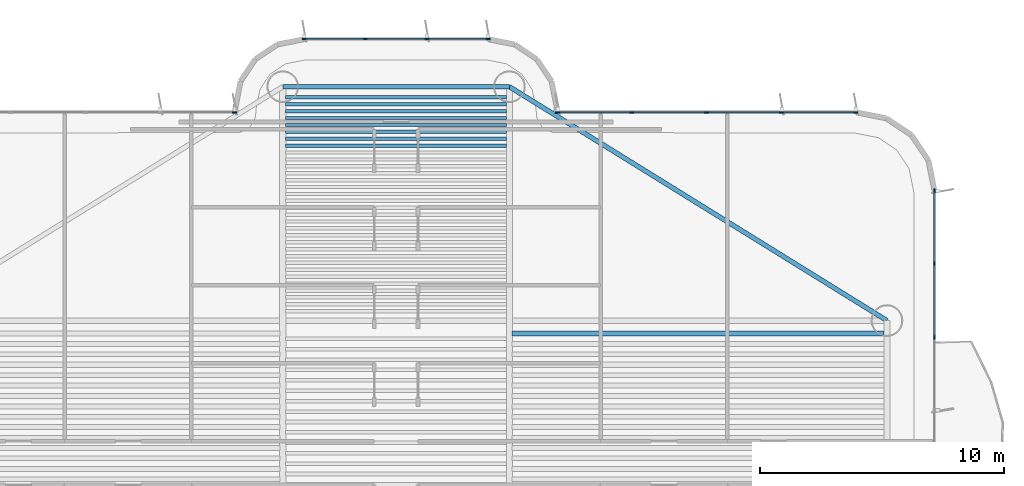
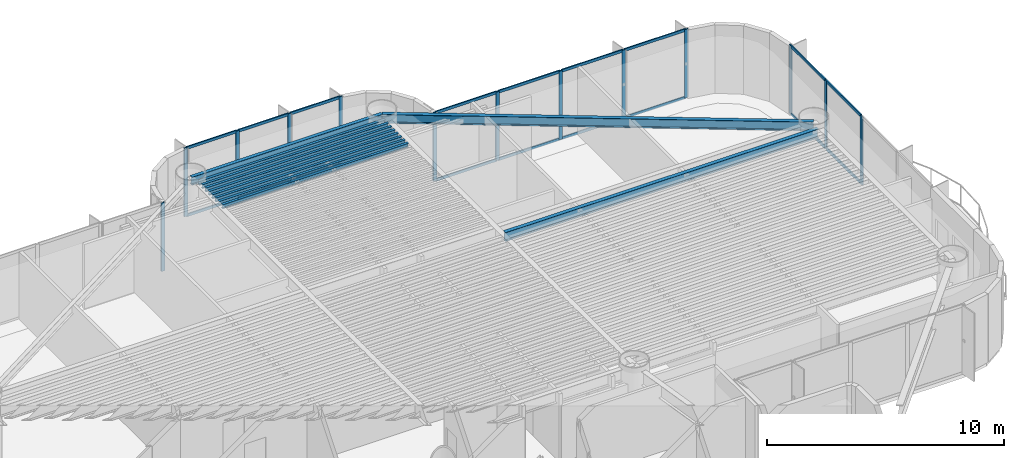
# One storey, part 7 of 16: 31 members, 11 beams, 4 elements without a shape of their own.
"""IFC4 building model written with IfcOpenShell, lengths in metres."""

from ifc_helpers import new_model, si_unit, direction, frame, origin, origin_2d, place, context, subcontext, project, spatial, rectangle, i_section, extrude, source, transform, mapped, material, layer, layer_set, material_profile, profile_set, type_object, element, aggregate, save


model = new_model("IFC4")

# Units and contexts
model_context = context("Model", 3, precision=1e-05, world=origin(), true_north=direction((0.0, 1.0)))
body_context = subcontext(model_context, "Body", "Model", "MODEL_VIEW")
ifc_project = project(units=[si_unit("LENGTHUNIT", "METRE"), si_unit("AREAUNIT", "SQUARE_METRE"), si_unit("VOLUMEUNIT", "CUBIC_METRE"), si_unit("PLANEANGLEUNIT", "RADIAN"), si_unit("MASSUNIT", "GRAM", prefix="KILO")], contexts=[model_context])

# Site, building, storey
site_placement = place(None, origin())
site = spatial("IfcSite", under=ifc_project, at=site_placement, CompositionType="ELEMENT")
building_placement = place(site_placement, origin())
building = spatial("IfcBuilding", under=site, at=building_placement, Name="Brelvock Crest Care Tower", CompositionType="ELEMENT")
storey_placement = place(building_placement, frame((0.0, 0.0, 101.159912109375)))
storey = spatial("IfcBuildingStorey", under=building, at=storey_placement, Name="L25", CompositionType="ELEMENT", Elevation=101.159912109375)

# Beams
ifc_material_1 = material(Name="Steel Grade 350", Category="steel")
ifc_material_profile_1 = material_profile(ifc_material_1, i_section(OverallWidth=0.177978515625, OverallDepth=0.406005859375, WebThickness=0.0078125, FlangeThickness=0.0126953125, FilletRadius=0.011474609375, at=origin_2d()), Name="410UB59.7")
ifc_profile_set_1 = profile_set([ifc_material_profile_1], Name="Steel Grade 350")
beam_type_1 = type_object("IfcBeamType", Name="BM-SP1", PredefinedType="SPANDREL", material=ifc_profile_set_1)
shared_shape_1 = source(origin(), body_context, "Body", "SweptSolid", [
    extrude(i_section(OverallWidth=0.177978515625, OverallDepth=0.406005859375, WebThickness=0.0078125, FlangeThickness=0.0126953125, FilletRadius=0.011474609375, at=origin_2d()), origin(), (0.0, 0.0, 1.0), 9.2998046875),
])
beam_1_placement = place(storey_placement, frame((31.35009765625, 48.449951171875, 3.3271484375), z_axis=(1.0, 0.0, 0.0), x_axis=(0.0, 1.0, 0.0)))
element("IfcBeam", 1, at=beam_1_placement, inside=storey, type_object=beam_type_1, Name="BM-TWR-L25-08", PredefinedType="SPANDREL", context=body_context, shape_type="MappedRepresentation", body=[
    mapped(shared_shape_1, transform((0.0, 0.0, 0.0), x_axis=(1.0, 0.0, 0.0), y_axis=(0.0, 1.0, 0.0), z_axis=(0.0, 0.0, 1.0), scale=1.0)),
])
ifc_material_profile_2 = material_profile(ifc_material_1, i_section(OverallWidth=0.134033203125, OverallDepth=0.20703125, WebThickness=0.00634765625, FlangeThickness=0.009521484375, FilletRadius=0.0087890625, at=origin_2d()), Name="200UB29.8")
ifc_profile_set_2 = profile_set([ifc_material_profile_2], Name="Steel Grade 350")
beam_type_2 = type_object("IfcBeamType", Name="BM-J4", PredefinedType="JOIST", material=ifc_profile_set_2)
shared_shape_2 = source(origin(), body_context, "Body", "SweptSolid", [
    extrude(i_section(OverallWidth=0.134033203125, OverallDepth=0.20703125, WebThickness=0.00634765625, FlangeThickness=0.009521484375, FilletRadius=0.0087890625, at=origin_2d()), origin(), (0.0, 0.0, 1.0), 9.06982421875),
])
for number, where, z_axis, x_axis, name in (
    (2, (31.465087890625, 46.03076171875, 3.426513671875), (1.0, 0.0, 0.0), (0.0, 1.0, 0.0), "BM-JN-L25-25"),
    (3, (31.465087890625, 46.31396484375, 3.426513671875), (1.0, 0.0, 0.0), (0.0, 1.0, 0.0), "BM-JN-L25-26"),
    (4, (31.465087890625, 46.59716796875, 3.426513671875), (1.0, 0.0, 0.0), (0.0, 1.0, 0.0), "BM-JN-L25-27"),
    (5, (31.465087890625, 46.88037109375, 3.426513671875), (1.0, 0.0, 0.0), (0.0, 1.0, 0.0), "BM-JN-L25-28"),
    (6, (31.465087890625, 47.16357421875, 3.426513671875), (1.0, 0.0, 0.0), (0.0, 1.0, 0.0), "BM-JN-L25-29"),
    (7, (31.465087890625, 47.44677734375, 3.426513671875), (1.0, 0.0, 0.0), (0.0, 1.0, 0.0), "BM-JN-L25-30"),
    (8, (31.465087890625, 47.72998046875, 3.426513671875), (1.0, 0.0, 0.0), (0.0, 1.0, 0.0), "BM-JN-L25-31"),
    (9, (31.465087890625, 48.01318359375, 3.426513671875), (1.0, 0.0, 0.0), (0.0, 1.0, 0.0), "BM-JN-L25-32"),
):
    element("IfcBeam", number, at=place(storey_placement, frame(where, z_axis=z_axis, x_axis=x_axis)), inside=storey, type_object=beam_type_2, Name=name, PredefinedType="JOIST", context=body_context, shape_type="MappedRepresentation", body=[
        mapped(shared_shape_2, transform((0.0, 0.0, 0.0), x_axis=(1.0, 0.0, 0.0), y_axis=(0.0, 1.0, 0.0), z_axis=(0.0, 0.0, 1.0), scale=1.0)),
    ])
ifc_material_profile_3 = material_profile(ifc_material_1, i_section(OverallWidth=0.19091796875, OverallDepth=0.4599609375, WebThickness=0.010009765625, FlangeThickness=0.01611328125, FilletRadius=0.011474609375, at=origin_2d()), Name="460UB82.1")
ifc_profile_set_3 = profile_set([ifc_material_profile_3], Name="Steel Grade 350")
beam_type_3 = type_object("IfcBeamType", Name="BM-G3", PredefinedType="BEAM", material=ifc_profile_set_3)
shared_shape_3 = source(origin(), body_context, "Body", "SweptSolid", [
    extrude(i_section(OverallWidth=0.19091796875, OverallDepth=0.4599609375, WebThickness=0.010009765625, FlangeThickness=0.01611328125, FilletRadius=0.011474609375, at=origin_2d()), origin(), (0.0, 0.0, 1.0), 15.27001953125),
])
beam_2_placement = place(storey_placement, frame((40.764892578125, 38.317626953125, 3.300048828125), z_axis=(1.0, 0.0, 0.0), x_axis=(0.0, 1.0, 0.0)))
element("IfcBeam", 10, at=beam_2_placement, inside=storey, type_object=beam_type_3, Name="BM-JE-L25-26", PredefinedType="BEAM", context=body_context, shape_type="MappedRepresentation", body=[
    mapped(shared_shape_3, transform((0.0, 0.0, 0.0), x_axis=(1.0, 0.0, 0.0), y_axis=(0.0, 1.0, 0.0), z_axis=(0.0, 0.0, 1.0), scale=1.0)),
])
ifc_material_profile_4 = material_profile(ifc_material_1, i_section(OverallWidth=0.19091796875, OverallDepth=0.4599609375, WebThickness=0.010009765625, FlangeThickness=0.01611328125, FilletRadius=0.011474609375, at=origin_2d()), Name="460UB82.1")
ifc_profile_set_4 = profile_set([ifc_material_profile_4], Name="Steel Grade 350")
beam_type_4 = type_object("IfcBeamType", Name="BM-SP2", PredefinedType="SPANDREL", material=ifc_profile_set_4)
shared_shape_4 = source(origin(), body_context, "Body", "SweptSolid", [
    extrude(i_section(OverallWidth=0.19091796875, OverallDepth=0.4599609375, WebThickness=0.010009765625, FlangeThickness=0.01611328125, FilletRadius=0.011474609375, at=origin_2d()), origin(), (0.0, 0.0, 1.0), 18.23193359375),
])
beam_3_placement = place(storey_placement, frame((40.64990234375, 48.449951171875, 3.300048828125), z_axis=(0.85015183248, -0.526537616635, 0.0), x_axis=(0.526537616635, 0.85015183248, 0.0)))
element("IfcBeam", 11, at=beam_3_placement, inside=storey, type_object=beam_type_4, Name="BM-TWR-L25-07", PredefinedType="SPANDREL", context=body_context, shape_type="MappedRepresentation", body=[
    mapped(shared_shape_4, transform((0.0, 0.0, 0.0), x_axis=(1.0, 0.0, 0.0), y_axis=(0.0, 1.0, 0.0), z_axis=(0.0, 0.0, 1.0), scale=1.0)),
])

# Curtain wall, member
ifc_material_2 = material(Name="Dark Glass Double Glazed Low-E", Category="glass")
ifc_layer = layer(ifc_material_2, 0.2099609375, Name="CWS-3")
ifc_layer_set = layer_set([ifc_layer], Name="Dark Glass Double Glazed Low-E")
curtain_wall_type = type_object("IfcCurtainWallType", Name="CWS-3", PredefinedType="NOTDEFINED", material=ifc_layer_set)
curtain_wall_1_placement = place(storey_placement, origin())
curtain_wall_1 = element("IfcCurtainWall", 12, at=curtain_wall_1_placement, inside=storey, type_object=curtain_wall_type, Name="L25 Curtain Wall E22", PredefinedType="NOTDEFINED")
ifc_material_3 = material(Name="Aluminium 6063-T6", Category="aluminium")
ifc_material_profile_5 = material_profile(ifc_material_3, rectangle(XDim=0.06005859375, YDim=0.179931640625, at=origin_2d()), Name="ALU60x180")
ifc_profile_set_5 = profile_set([ifc_material_profile_5], Name="Aluminium 6063-T6")
member_type_1 = type_object("IfcMemberType", Name="CWM-2", PredefinedType="MULLION", material=ifc_profile_set_5)
shared_shape_5 = source(origin(), body_context, "Body", "SweptSolid", [
    extrude(rectangle(XDim=0.06005859375, YDim=0.179931640625, at=origin_2d()), origin(), (0.0, 0.0, 1.0), 3.530029296875),
])
member_1_placement = place(storey_placement, frame((29.3701171875, 47.39990234375, 0.0), z_axis=(0.0, 0.0, 1.0), x_axis=(0.0, 1.0, 0.0)))
member_1 = element("IfcMember", 13, at=member_1_placement, type_object=member_type_1, Name="CW-3 mullion 5", PredefinedType="MULLION", context=body_context, shape_type="MappedRepresentation", body=[
    mapped(shared_shape_5, transform((0.0, 0.0, 0.0), x_axis=(1.0, 0.0, 0.0), y_axis=(0.0, 1.0, 0.0), z_axis=(0.0, 0.0, 1.0), scale=1.0)),
])
aggregate(curtain_wall_1, [member_1])

# Curtain wall, members
curtain_wall_2_placement = place(storey_placement, origin())
curtain_wall_2 = element("IfcCurtainWall", 14, at=curtain_wall_2_placement, inside=storey, type_object=curtain_wall_type, Name="L25 Curtain Wall E28", PredefinedType="NOTDEFINED")
member_2_placement = place(storey_placement, frame((32.22998046875, 50.39990234375, 0.0), z_axis=(0.0, 0.0, 1.0), x_axis=(0.0, 1.0, 0.0)))
member_2 = element("IfcMember", 15, at=member_2_placement, type_object=member_type_1, Name="CW-3 mullion 1", PredefinedType="MULLION", context=body_context, shape_type="MappedRepresentation", body=[
    mapped(shared_shape_5, transform((0.0, 0.0, 0.0), x_axis=(1.0, 0.0, 0.0), y_axis=(0.0, 1.0, 0.0), z_axis=(0.0, 0.0, 1.0), scale=1.0)),
])
member_3_placement = place(storey_placement, frame((34.7333984375, 50.39990234375, 0.0), z_axis=(0.0, 0.0, 1.0), x_axis=(0.0, 1.0, 0.0)))
member_3 = element("IfcMember", 16, at=member_3_placement, type_object=member_type_1, Name="CW-3 mullion 2", PredefinedType="MULLION", context=body_context, shape_type="MappedRepresentation", body=[
    mapped(shared_shape_5, transform((0.0, 0.0, 0.0), x_axis=(1.0, 0.0, 0.0), y_axis=(0.0, 1.0, 0.0), z_axis=(0.0, 0.0, 1.0), scale=1.0)),
])
member_4_placement = place(storey_placement, frame((37.2666015625, 50.39990234375, 0.0), z_axis=(0.0, 0.0, 1.0), x_axis=(0.0, 1.0, 0.0)))
member_4 = element("IfcMember", 17, at=member_4_placement, type_object=member_type_1, Name="CW-3 mullion 3", PredefinedType="MULLION", context=body_context, shape_type="MappedRepresentation", body=[
    mapped(shared_shape_5, transform((0.0, 0.0, 0.0), x_axis=(1.0, 0.0, 0.0), y_axis=(0.0, 1.0, 0.0), z_axis=(0.0, 0.0, 1.0), scale=1.0)),
])
member_5_placement = place(storey_placement, frame((39.77001953125, 50.39990234375, 0.0), z_axis=(0.0, 0.0, 1.0), x_axis=(0.0, 1.0, 0.0)))
member_5 = element("IfcMember", 18, at=member_5_placement, type_object=member_type_1, Name="CW-3 mullion 4", PredefinedType="MULLION", context=body_context, shape_type="MappedRepresentation", body=[
    mapped(shared_shape_5, transform((0.0, 0.0, 0.0), x_axis=(1.0, 0.0, 0.0), y_axis=(0.0, 1.0, 0.0), z_axis=(0.0, 0.0, 1.0), scale=1.0)),
])

curtain_wall_3_placement = place(storey_placement, origin())
curtain_wall_3 = element("IfcCurtainWall", 19, at=curtain_wall_3_placement, inside=storey, type_object=curtain_wall_type, Name="L25 Curtain Wall E34", PredefinedType="NOTDEFINED")
member_6_placement = place(storey_placement, frame((42.6298828125, 47.39990234375, 0.0), z_axis=(0.0, 0.0, 1.0), x_axis=(0.0, 1.0, 0.0)))
member_6 = element("IfcMember", 20, at=member_6_placement, type_object=member_type_1, Name="CW-3 mullion 1", PredefinedType="MULLION", context=body_context, shape_type="MappedRepresentation", body=[
    mapped(shared_shape_5, transform((0.0, 0.0, 0.0), x_axis=(1.0, 0.0, 0.0), y_axis=(0.0, 1.0, 0.0), z_axis=(0.0, 0.0, 1.0), scale=1.0)),
])
member_7_placement = place(storey_placement, frame((45.675048828125, 47.39990234375, 0.0), z_axis=(0.0, 0.0, 1.0), x_axis=(0.0, 1.0, 0.0)))
member_7 = element("IfcMember", 21, at=member_7_placement, type_object=member_type_1, Name="CW-3 mullion 2", PredefinedType="MULLION", context=body_context, shape_type="MappedRepresentation", body=[
    mapped(shared_shape_5, transform((0.0, 0.0, 0.0), x_axis=(1.0, 0.0, 0.0), y_axis=(0.0, 1.0, 0.0), z_axis=(0.0, 0.0, 1.0), scale=1.0)),
])
member_8_placement = place(storey_placement, frame((48.75, 47.39990234375, 0.0), z_axis=(0.0, 0.0, 1.0), x_axis=(0.0, 1.0, 0.0)))
member_8 = element("IfcMember", 22, at=member_8_placement, type_object=member_type_1, Name="CW-3 mullion 3", PredefinedType="MULLION", context=body_context, shape_type="MappedRepresentation", body=[
    mapped(shared_shape_5, transform((0.0, 0.0, 0.0), x_axis=(1.0, 0.0, 0.0), y_axis=(0.0, 1.0, 0.0), z_axis=(0.0, 0.0, 1.0), scale=1.0)),
])
member_9_placement = place(storey_placement, frame((51.824951171875, 47.39990234375, 0.0), z_axis=(0.0, 0.0, 1.0), x_axis=(0.0, 1.0, 0.0)))
member_9 = element("IfcMember", 23, at=member_9_placement, type_object=member_type_1, Name="CW-3 mullion 4", PredefinedType="MULLION", context=body_context, shape_type="MappedRepresentation", body=[
    mapped(shared_shape_5, transform((0.0, 0.0, 0.0), x_axis=(1.0, 0.0, 0.0), y_axis=(0.0, 1.0, 0.0), z_axis=(0.0, 0.0, 1.0), scale=1.0)),
])
member_10_placement = place(storey_placement, frame((54.8701171875, 47.39990234375, 0.0), z_axis=(0.0, 0.0, 1.0), x_axis=(0.0, 1.0, 0.0)))
member_10 = element("IfcMember", 24, at=member_10_placement, type_object=member_type_1, Name="CW-3 mullion 5", PredefinedType="MULLION", context=body_context, shape_type="MappedRepresentation", body=[
    mapped(shared_shape_5, transform((0.0, 0.0, 0.0), x_axis=(1.0, 0.0, 0.0), y_axis=(0.0, 1.0, 0.0), z_axis=(0.0, 0.0, 1.0), scale=1.0)),
])

curtain_wall_4_placement = place(storey_placement, origin())
curtain_wall_4 = element("IfcCurtainWall", 25, at=curtain_wall_4_placement, inside=storey, type_object=curtain_wall_type, Name="L25 Curtain Wall E39A", PredefinedType="NOTDEFINED")
member_11_placement = place(storey_placement, frame((58.10009765625, 44.169921875, 0.0), z_axis=(0.0, 0.0, 1.0), x_axis=(1.0, 0.0, 0.0)))
member_11 = element("IfcMember", 26, at=member_11_placement, type_object=member_type_1, Name="CW-3 mullion 1", PredefinedType="MULLION", context=body_context, shape_type="MappedRepresentation", body=[
    mapped(shared_shape_5, transform((0.0, 0.0, 0.0), x_axis=(1.0, 0.0, 0.0), y_axis=(0.0, 1.0, 0.0), z_axis=(0.0, 0.0, 1.0), scale=1.0)),
])
member_12_placement = place(storey_placement, frame((58.10009765625, 41.1875, 0.0), z_axis=(0.0, 0.0, 1.0), x_axis=(1.0, 0.0, 0.0)))
member_12 = element("IfcMember", 27, at=member_12_placement, type_object=member_type_1, Name="CW-3 mullion 2", PredefinedType="MULLION", context=body_context, shape_type="MappedRepresentation", body=[
    mapped(shared_shape_5, transform((0.0, 0.0, 0.0), x_axis=(1.0, 0.0, 0.0), y_axis=(0.0, 1.0, 0.0), z_axis=(0.0, 0.0, 1.0), scale=1.0)),
])
member_13_placement = place(storey_placement, frame((58.10009765625, 38.175048828125, 0.0), z_axis=(0.0, 0.0, 1.0), x_axis=(1.0, 0.0, 0.0)))
member_13 = element("IfcMember", 28, at=member_13_placement, type_object=member_type_1, Name="CW-3 mullion 3", PredefinedType="MULLION", context=body_context, shape_type="MappedRepresentation", body=[
    mapped(shared_shape_5, transform((0.0, 0.0, 0.0), x_axis=(1.0, 0.0, 0.0), y_axis=(0.0, 1.0, 0.0), z_axis=(0.0, 0.0, 1.0), scale=1.0)),
])
ifc_material_profile_6 = material_profile(ifc_material_3, rectangle(XDim=0.06005859375, YDim=0.139892578125, at=origin_2d()), Name="ALU60x140")
ifc_profile_set_6 = profile_set([ifc_material_profile_6], Name="Aluminium 6063-T6")
member_type_2 = type_object("IfcMemberType", Name="CWT-2", PredefinedType="USERDEFINED", material=ifc_profile_set_6)
shared_shape_6 = source(origin(), body_context, "Body", "SweptSolid", [
    extrude(rectangle(XDim=0.06005859375, YDim=0.139892578125, at=origin_2d()), origin(), (0.0, 0.0, 1.0), 2.952392578125),
])
member_14_placement = place(storey_placement, frame((58.10009765625, 41.157470703125, 0.030029296875), z_axis=(0.0, -1.0, 0.0), x_axis=(1.0, 0.0, 0.0)))
member_14 = element("IfcMember", 29, at=member_14_placement, type_object=member_type_2, Name="CW-3 transom 2.1", ObjectType="TRANSOM", PredefinedType="USERDEFINED", context=body_context, shape_type="MappedRepresentation", body=[
    mapped(shared_shape_6, transform((0.0, 0.0, 0.0), x_axis=(1.0, 0.0, 0.0), y_axis=(0.0, 1.0, 0.0), z_axis=(0.0, 0.0, 1.0), scale=1.0)),
])
member_15_placement = place(storey_placement, frame((58.10009765625, 41.157470703125, 3.5), z_axis=(0.0, -1.0, 0.0), x_axis=(1.0, 0.0, 0.0)))
member_15 = element("IfcMember", 30, at=member_15_placement, type_object=member_type_2, Name="CW-3 transom 2.2", ObjectType="TRANSOM", PredefinedType="USERDEFINED", context=body_context, shape_type="MappedRepresentation", body=[
    mapped(shared_shape_6, transform((0.0, 0.0, 0.0), x_axis=(1.0, 0.0, 0.0), y_axis=(0.0, 1.0, 0.0), z_axis=(0.0, 0.0, 1.0), scale=1.0)),
])
shared_shape_7 = source(origin(), body_context, "Body", "SweptSolid", [
    extrude(rectangle(XDim=0.06005859375, YDim=0.139892578125, at=origin_2d()), origin(), (0.0, 0.0, 1.0), 2.92236328125),
])
member_16_placement = place(storey_placement, frame((58.10009765625, 44.139892578125, 0.030029296875), z_axis=(0.0, -1.0, 0.0), x_axis=(1.0, 0.0, 0.0)))
member_16 = element("IfcMember", 31, at=member_16_placement, type_object=member_type_2, Name="CW-3 transom 1.1", ObjectType="TRANSOM", PredefinedType="USERDEFINED", context=body_context, shape_type="MappedRepresentation", body=[
    mapped(shared_shape_7, transform((0.0, 0.0, 0.0), x_axis=(1.0, 0.0, 0.0), y_axis=(0.0, 1.0, 0.0), z_axis=(0.0, 0.0, 1.0), scale=1.0)),
])
member_17_placement = place(storey_placement, frame((58.10009765625, 44.139892578125, 3.5), z_axis=(0.0, -1.0, 0.0), x_axis=(1.0, 0.0, 0.0)))
member_17 = element("IfcMember", 32, at=member_17_placement, type_object=member_type_2, Name="CW-3 transom 1.2", ObjectType="TRANSOM", PredefinedType="USERDEFINED", context=body_context, shape_type="MappedRepresentation", body=[
    mapped(shared_shape_7, transform((0.0, 0.0, 0.0), x_axis=(1.0, 0.0, 0.0), y_axis=(0.0, 1.0, 0.0), z_axis=(0.0, 0.0, 1.0), scale=1.0)),
])
aggregate(curtain_wall_4, [member_11, member_12, member_13, member_16, member_17, member_14, member_15])

# Member
shared_shape_8 = source(origin(), body_context, "Body", "SweptSolid", [
    extrude(rectangle(XDim=0.06005859375, YDim=0.139892578125, at=origin_2d()), origin(), (0.0, 0.0, 1.0), 2.985107421875),
])
member_18_placement = place(storey_placement, frame((42.659912109375, 47.39990234375, 0.030029296875), z_axis=(1.0, 0.0, 0.0), x_axis=(0.0, 1.0, 0.0)))
member_18 = element("IfcMember", 33, at=member_18_placement, type_object=member_type_2, Name="CW-3 transom 1.1", ObjectType="TRANSOM", PredefinedType="USERDEFINED", context=body_context, shape_type="MappedRepresentation", body=[
    mapped(shared_shape_8, transform((0.0, 0.0, 0.0), x_axis=(1.0, 0.0, 0.0), y_axis=(0.0, 1.0, 0.0), z_axis=(0.0, 0.0, 1.0), scale=1.0)),
])

member_19_placement = place(storey_placement, frame((42.659912109375, 47.39990234375, 3.5), z_axis=(1.0, 0.0, 0.0), x_axis=(0.0, 1.0, 0.0)))
member_19 = element("IfcMember", 34, at=member_19_placement, type_object=member_type_2, Name="CW-3 transom 1.2", ObjectType="TRANSOM", PredefinedType="USERDEFINED", context=body_context, shape_type="MappedRepresentation", body=[
    mapped(shared_shape_8, transform((0.0, 0.0, 0.0), x_axis=(1.0, 0.0, 0.0), y_axis=(0.0, 1.0, 0.0), z_axis=(0.0, 0.0, 1.0), scale=1.0)),
])

member_20_placement = place(storey_placement, frame((51.85498046875, 47.39990234375, 0.030029296875), z_axis=(1.0, 0.0, 0.0), x_axis=(0.0, 1.0, 0.0)))
member_20 = element("IfcMember", 35, at=member_20_placement, type_object=member_type_2, Name="CW-3 transom 4.1", ObjectType="TRANSOM", PredefinedType="USERDEFINED", context=body_context, shape_type="MappedRepresentation", body=[
    mapped(shared_shape_8, transform((0.0, 0.0, 0.0), x_axis=(1.0, 0.0, 0.0), y_axis=(0.0, 1.0, 0.0), z_axis=(0.0, 0.0, 1.0), scale=1.0)),
])

member_21_placement = place(storey_placement, frame((51.85498046875, 47.39990234375, 3.5), z_axis=(1.0, 0.0, 0.0), x_axis=(0.0, 1.0, 0.0)))
member_21 = element("IfcMember", 36, at=member_21_placement, type_object=member_type_2, Name="CW-3 transom 4.2", ObjectType="TRANSOM", PredefinedType="USERDEFINED", context=body_context, shape_type="MappedRepresentation", body=[
    mapped(shared_shape_8, transform((0.0, 0.0, 0.0), x_axis=(1.0, 0.0, 0.0), y_axis=(0.0, 1.0, 0.0), z_axis=(0.0, 0.0, 1.0), scale=1.0)),
])

shared_shape_9 = source(origin(), body_context, "Body", "SweptSolid", [
    extrude(rectangle(XDim=0.06005859375, YDim=0.139892578125, at=origin_2d()), origin(), (0.0, 0.0, 1.0), 3.014892578125),
])
member_22_placement = place(storey_placement, frame((45.705078125, 47.39990234375, 0.030029296875), z_axis=(1.0, 0.0, 0.0), x_axis=(0.0, 1.0, 0.0)))
member_22 = element("IfcMember", 37, at=member_22_placement, type_object=member_type_2, Name="CW-3 transom 2.1", ObjectType="TRANSOM", PredefinedType="USERDEFINED", context=body_context, shape_type="MappedRepresentation", body=[
    mapped(shared_shape_9, transform((0.0, 0.0, 0.0), x_axis=(1.0, 0.0, 0.0), y_axis=(0.0, 1.0, 0.0), z_axis=(0.0, 0.0, 1.0), scale=1.0)),
])

member_23_placement = place(storey_placement, frame((45.705078125, 47.39990234375, 3.5), z_axis=(1.0, 0.0, 0.0), x_axis=(0.0, 1.0, 0.0)))
member_23 = element("IfcMember", 38, at=member_23_placement, type_object=member_type_2, Name="CW-3 transom 2.2", ObjectType="TRANSOM", PredefinedType="USERDEFINED", context=body_context, shape_type="MappedRepresentation", body=[
    mapped(shared_shape_9, transform((0.0, 0.0, 0.0), x_axis=(1.0, 0.0, 0.0), y_axis=(0.0, 1.0, 0.0), z_axis=(0.0, 0.0, 1.0), scale=1.0)),
])

member_24_placement = place(storey_placement, frame((48.780029296875, 47.39990234375, 0.030029296875), z_axis=(1.0, 0.0, 0.0), x_axis=(0.0, 1.0, 0.0)))
member_24 = element("IfcMember", 39, at=member_24_placement, type_object=member_type_2, Name="CW-3 transom 3.1", ObjectType="TRANSOM", PredefinedType="USERDEFINED", context=body_context, shape_type="MappedRepresentation", body=[
    mapped(shared_shape_9, transform((0.0, 0.0, 0.0), x_axis=(1.0, 0.0, 0.0), y_axis=(0.0, 1.0, 0.0), z_axis=(0.0, 0.0, 1.0), scale=1.0)),
])

member_25_placement = place(storey_placement, frame((48.780029296875, 47.39990234375, 3.5), z_axis=(1.0, 0.0, 0.0), x_axis=(0.0, 1.0, 0.0)))
member_25 = element("IfcMember", 40, at=member_25_placement, type_object=member_type_2, Name="CW-3 transom 3.2", ObjectType="TRANSOM", PredefinedType="USERDEFINED", context=body_context, shape_type="MappedRepresentation", body=[
    mapped(shared_shape_9, transform((0.0, 0.0, 0.0), x_axis=(1.0, 0.0, 0.0), y_axis=(0.0, 1.0, 0.0), z_axis=(0.0, 0.0, 1.0), scale=1.0)),
])

aggregate(curtain_wall_3, [member_6, member_7, member_8, member_9, member_10, member_18, member_19, member_22, member_23, member_24, member_25, member_20, member_21])

shared_shape_10 = source(origin(), body_context, "Body", "SweptSolid", [
    extrude(rectangle(XDim=0.06005859375, YDim=0.139892578125, at=origin_2d()), origin(), (0.0, 0.0, 1.0), 2.443359375),
])
member_26_placement = place(storey_placement, frame((32.260009765625, 50.39990234375, 0.030029296875), z_axis=(1.0, 0.0, 0.0), x_axis=(0.0, 1.0, 0.0)))
member_26 = element("IfcMember", 41, at=member_26_placement, type_object=member_type_2, Name="CW-3 transom 1.1", ObjectType="TRANSOM", PredefinedType="USERDEFINED", context=body_context, shape_type="MappedRepresentation", body=[
    mapped(shared_shape_10, transform((0.0, 0.0, 0.0), x_axis=(1.0, 0.0, 0.0), y_axis=(0.0, 1.0, 0.0), z_axis=(0.0, 0.0, 1.0), scale=1.0)),
])

member_27_placement = place(storey_placement, frame((32.260009765625, 50.39990234375, 3.5), z_axis=(1.0, 0.0, 0.0), x_axis=(0.0, 1.0, 0.0)))
member_27 = element("IfcMember", 42, at=member_27_placement, type_object=member_type_2, Name="CW-3 transom 1.2", ObjectType="TRANSOM", PredefinedType="USERDEFINED", context=body_context, shape_type="MappedRepresentation", body=[
    mapped(shared_shape_10, transform((0.0, 0.0, 0.0), x_axis=(1.0, 0.0, 0.0), y_axis=(0.0, 1.0, 0.0), z_axis=(0.0, 0.0, 1.0), scale=1.0)),
])

member_28_placement = place(storey_placement, frame((37.296630859375, 50.39990234375, 0.030029296875), z_axis=(1.0, 0.0, 0.0), x_axis=(0.0, 1.0, 0.0)))
member_28 = element("IfcMember", 43, at=member_28_placement, type_object=member_type_2, Name="CW-3 transom 3.1", ObjectType="TRANSOM", PredefinedType="USERDEFINED", context=body_context, shape_type="MappedRepresentation", body=[
    mapped(shared_shape_10, transform((0.0, 0.0, 0.0), x_axis=(1.0, 0.0, 0.0), y_axis=(0.0, 1.0, 0.0), z_axis=(0.0, 0.0, 1.0), scale=1.0)),
])

member_29_placement = place(storey_placement, frame((37.296630859375, 50.39990234375, 3.5), z_axis=(1.0, 0.0, 0.0), x_axis=(0.0, 1.0, 0.0)))
member_29 = element("IfcMember", 44, at=member_29_placement, type_object=member_type_2, Name="CW-3 transom 3.2", ObjectType="TRANSOM", PredefinedType="USERDEFINED", context=body_context, shape_type="MappedRepresentation", body=[
    mapped(shared_shape_10, transform((0.0, 0.0, 0.0), x_axis=(1.0, 0.0, 0.0), y_axis=(0.0, 1.0, 0.0), z_axis=(0.0, 0.0, 1.0), scale=1.0)),
])

shared_shape_11 = source(origin(), body_context, "Body", "SweptSolid", [
    extrude(rectangle(XDim=0.06005859375, YDim=0.139892578125, at=origin_2d()), origin(), (0.0, 0.0, 1.0), 2.47314453125),
])
member_30_placement = place(storey_placement, frame((34.763427734375, 50.39990234375, 0.030029296875), z_axis=(1.0, 0.0, 0.0), x_axis=(0.0, 1.0, 0.0)))
member_30 = element("IfcMember", 45, at=member_30_placement, type_object=member_type_2, Name="CW-3 transom 2.1", ObjectType="TRANSOM", PredefinedType="USERDEFINED", context=body_context, shape_type="MappedRepresentation", body=[
    mapped(shared_shape_11, transform((0.0, 0.0, 0.0), x_axis=(1.0, 0.0, 0.0), y_axis=(0.0, 1.0, 0.0), z_axis=(0.0, 0.0, 1.0), scale=1.0)),
])

member_31_placement = place(storey_placement, frame((34.763427734375, 50.39990234375, 3.5), z_axis=(1.0, 0.0, 0.0), x_axis=(0.0, 1.0, 0.0)))
member_31 = element("IfcMember", 46, at=member_31_placement, type_object=member_type_2, Name="CW-3 transom 2.2", ObjectType="TRANSOM", PredefinedType="USERDEFINED", context=body_context, shape_type="MappedRepresentation", body=[
    mapped(shared_shape_11, transform((0.0, 0.0, 0.0), x_axis=(1.0, 0.0, 0.0), y_axis=(0.0, 1.0, 0.0), z_axis=(0.0, 0.0, 1.0), scale=1.0)),
])

aggregate(curtain_wall_2, [member_2, member_3, member_4, member_5, member_26, member_27, member_30, member_31, member_28, member_29])

save(model, "model.ifc")
